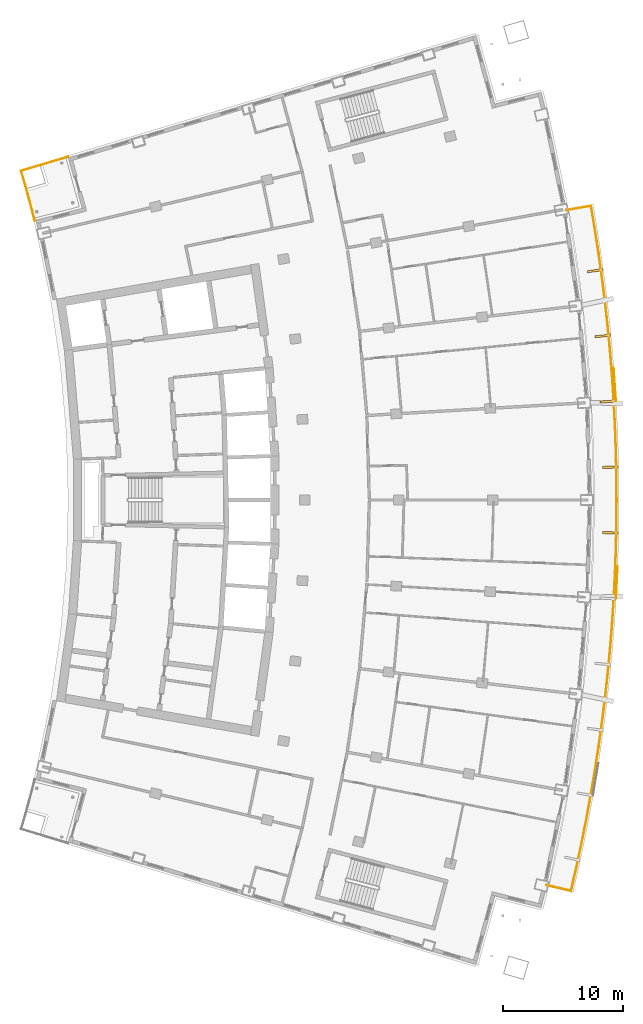
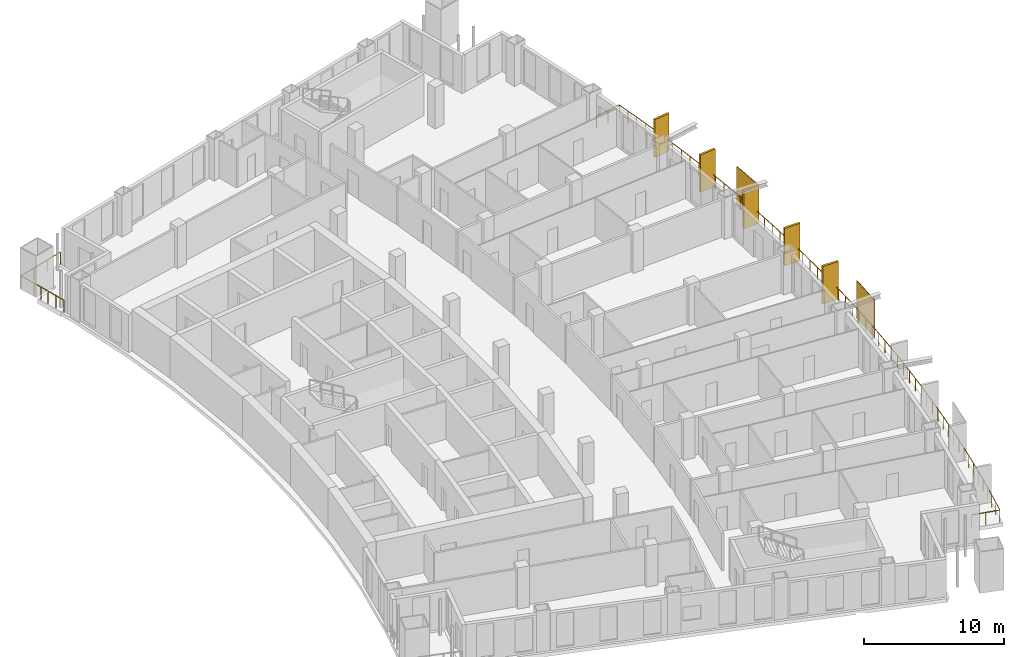
# One storey, part 19 of 20: 7 shading devices, 2 railings.
"""IFC4 building model written with IfcOpenShell, lengths in metres."""

import ifcopenshell
import ifcopenshell.guid

model = None  # the IFC model being written
_history = None  # IfcOwnerHistory: only IFC2X3 demands one
_inside = {}  # id of a spatial element -> (the spatial element, [elements in it])
_under = {}  # id of a project, library or spatial element -> (it, [spatial elements below it])
_declared = {}  # id of a project -> (the project, [libraries it declares])
_typed = {}  # id of a type object -> (the type object, [elements of that type])
_made_of = {}  # id of a material, layer set ... -> (it, [elements and type objects made of it])


def new_model(schema):
    """Start an empty IFC model of exactly this schema.

    Asked for "IFC4X3", IfcOpenShell would pick the latest addendum, in which some entities
    have other attributes; the version numbers below select the first issue.
    IFC2X3 requires an IfcOwnerHistory on every rooted entity: one is made here for all.
    """
    global model, _history
    if schema == "IFC4X3":
        model = ifcopenshell.file(schema_version=(4, 3, 0, 0))
    else:
        model = ifcopenshell.file(schema=schema)
    _inside.clear()
    _under.clear()
    _declared.clear()
    _typed.clear()
    _made_of.clear()
    _history = None
    if model.schema == "IFC2X3":
        org = make("IfcOrganization", Name="unknown")
        user = make(
            "IfcPersonAndOrganization",
            ThePerson=make("IfcPerson", FamilyName="unknown"),
            TheOrganization=org,
        )
        app = make(
            "IfcApplication",
            ApplicationDeveloper=org,
            Version="unknown",
            ApplicationFullName="unknown",
            ApplicationIdentifier="unknown",
        )
        _history = make(
            "IfcOwnerHistory",
            OwningUser=user,
            OwningApplication=app,
            ChangeAction="ADDED",
            CreationDate=0,
        )
    return model


def make(cls, **values):
    """One entity of the class cls with the attributes given. An attribute that is None is left unset."""
    return model.create_entity(
        cls, **{name: value for name, value in values.items() if value is not None}
    )


def rooted(cls, **values):
    """An entity with a GlobalId (a new one), such as an element, a storey or a relation."""
    return make(cls, GlobalId=ifcopenshell.guid.new(), OwnerHistory=_history, **values)


def si_unit(unit_type, name, prefix=None):
    """IfcSIUnit, for example si_unit("LENGTHUNIT", "METRE", prefix="MILLI")."""
    return make("IfcSIUnit", UnitType=unit_type, Prefix=prefix, Name=name)


def assignment(units):
    """IfcUnitAssignment: the units of a project."""
    return None if units is None else make("IfcUnitAssignment", Units=units)


def point(xyz):
    """IfcCartesianPoint."""
    return None if xyz is None else make("IfcCartesianPoint", Coordinates=xyz)


def direction(xyz):
    """IfcDirection."""
    return None if xyz is None else make("IfcDirection", DirectionRatios=xyz)


def frame(location, z_axis=None, x_axis=None):
    """IfcAxis2Placement3D, a coordinate frame: its origin and axes. An axis left out is left unset."""
    return make(
        "IfcAxis2Placement3D",
        Location=point(location),
        Axis=direction(z_axis),
        RefDirection=direction(x_axis),
    )


def frame_2d(location, x_axis=None):
    """IfcAxis2Placement2D, a coordinate frame in the plane: its origin and x axis."""
    return make(
        "IfcAxis2Placement2D", Location=point(location), RefDirection=direction(x_axis)
    )


def origin():
    """The frame at (0, 0, 0) with its axes left unset."""
    return frame((0.0, 0.0, 0.0))


def origin_2d():
    """The frame at (0, 0) in the plane with its x axis left unset."""
    return frame_2d((0.0, 0.0))


def place(relative_to, where):
    """IfcLocalPlacement: puts the frame where relative to a parent placement (None: the world)."""
    return make(
        "IfcLocalPlacement", PlacementRelTo=relative_to, RelativePlacement=where
    )


def context(
    kind, dimensions, precision=None, world=None, true_north=None, identifier=None
):
    """IfcGeometricRepresentationContext, for example the 3D "Model" context."""
    return make(
        "IfcGeometricRepresentationContext",
        ContextIdentifier=identifier,
        ContextType=kind,
        CoordinateSpaceDimension=dimensions,
        Precision=precision,
        WorldCoordinateSystem=world,
        TrueNorth=true_north,
    )


def subcontext(parent, identifier, kind, view, scale=None):
    """IfcGeometricRepresentationSubContext, for example "Body" below "Model"."""
    return make(
        "IfcGeometricRepresentationSubContext",
        ContextIdentifier=identifier,
        ContextType=kind,
        ParentContext=parent,
        TargetScale=scale,
        TargetView=view,
    )


def project(units=None, contexts=None):
    """IfcProject with its units and contexts."""
    return rooted(
        "IfcProject",
        Name="project",
        RepresentationContexts=contexts,
        UnitsInContext=assignment(units),
    )


def spatial(cls, under=None, at=None, **own):
    """A site, building, storey or space (cls), placed at a placement, below another one or the project."""
    s = rooted(cls, ObjectPlacement=at, **own)
    if under is not None:
        _under.setdefault(under.id(), (under, []))[1].append(s)
    return s


def profile(cls, at=None, kind="AREA", **sizes):
    """A parametric profile (cls). Its sizes go by their IFC names, for example OverallWidth=200.0."""
    return make(cls, ProfileType=kind, Position=at, **sizes)


def rectangle(**sizes):
    """IfcRectangleProfileDef."""
    return profile("IfcRectangleProfileDef", **sizes)


def extrude(swept, where, along, depth):
    """IfcExtrudedAreaSolid: the profile swept, set in the frame where, extruded along a direction by depth."""
    return make(
        "IfcExtrudedAreaSolid",
        SweptArea=swept,
        Position=where,
        ExtrudedDirection=direction(along),
        Depth=depth,
    )


def shape(context_of_items, identifier, shape_type, items):
    """IfcShapeRepresentation: the items that make up one representation, for example the "Body"."""
    return make(
        "IfcShapeRepresentation",
        ContextOfItems=context_of_items,
        RepresentationIdentifier=identifier,
        RepresentationType=shape_type,
        Items=items,
    )


def material(Name=None, Category=None):
    """IfcMaterial."""
    return make("IfcMaterial", Name=Name, Category=Category)


def layer(
    of_material, thickness, ventilated=None, Name=None, Category=None, Priority=None
):
    """IfcMaterialLayer: one layer of a wall or slab, of a material (None: an air gap)."""
    return make(
        "IfcMaterialLayer",
        Material=of_material,
        LayerThickness=thickness,
        IsVentilated=ventilated,
        Name=Name,
        Category=Category,
        Priority=Priority,
    )


def layer_set(layers, Name=None):
    """IfcMaterialLayerSet."""
    return make("IfcMaterialLayerSet", MaterialLayers=layers, LayerSetName=Name)


def made_of(thing, what):
    """Note that an element or type object is made of a material, layer set ...; save() writes the relation."""
    if what is not None:
        _made_of.setdefault(what.id(), (what, []))[1].append(thing)
    return thing


def type_object(cls, material=None, **own):
    """A type object (cls), such as IfcWallType, which elements share."""
    return made_of(rooted(cls, **own), material)


def element(
    cls,
    number,
    at=None,
    inside=None,
    cuts=None,
    type_object=None,
    material=None,
    context=None,
    identifier="Body",
    shape_type=None,
    held_by="IfcProductDefinitionShape",
    body=None,
    shapes=None,
    **own,
):
    """One element of the class cls, such as IfcWall. Its Tag is "e" and its number.

    at: its placement. inside: the storey or other place that contains it. cuts: it is an
    opening in that element (IfcRelVoidsElement). A single representation is given by context,
    identifier, shape_type and body (its items); several are given by shapes. held_by: the class
    of the entity that holds the representations. save() writes the other relations.
    """
    e = rooted(cls, Tag="e%d" % number, ObjectPlacement=at, **own)
    if body is not None:
        shapes = [shape(context, identifier, shape_type, body)]
    if shapes is not None:
        e.Representation = make(held_by, Representations=shapes)
    if inside is not None:
        _inside.setdefault(inside.id(), (inside, []))[1].append(e)
    if cuts is not None:
        rooted(
            "IfcRelVoidsElement", RelatingBuildingElement=cuts, RelatedOpeningElement=e
        )
    if type_object is not None:
        _typed.setdefault(type_object.id(), (type_object, []))[1].append(e)
    return made_of(e, material)


def aggregate(whole, parts):
    """IfcRelAggregates: a whole, such as a stair, and the parts it consists of."""
    return rooted("IfcRelAggregates", RelatingObject=whole, RelatedObjects=parts)


def save(model, path):
    """Write the relations noted so far, then the file.

    IfcRelAggregates (storeys below a building ...), IfcRelContainedInSpatialStructure (elements
    in a storey), IfcRelDefinesByType, IfcRelAssociatesMaterial and IfcRelDeclares: one each for
    every whole, place, type object, material and project.
    """
    for whole, parts in _under.values():
        aggregate(whole, parts)
    for where, things in _inside.values():
        rooted(
            "IfcRelContainedInSpatialStructure",
            RelatedElements=things,
            RelatingStructure=where,
        )
    for kind, things in _typed.values():
        rooted("IfcRelDefinesByType", RelatedObjects=things, RelatingType=kind)
    for what, things in _made_of.values():
        rooted("IfcRelAssociatesMaterial", RelatedObjects=things, RelatingMaterial=what)
    for by, libraries in _declared.values():
        rooted("IfcRelDeclares", RelatingContext=by, RelatedDefinitions=libraries)
    model.write(path)


model = new_model("IFC4")

# Units and contexts
model_context = context("Model", 3, precision=1e-05, world=origin(), true_north=direction((0.0, 1.0)))
body_context = subcontext(model_context, "Body", "Model", "MODEL_VIEW")
ifc_project = project(units=[si_unit("LENGTHUNIT", "METRE"), si_unit("AREAUNIT", "SQUARE_METRE"), si_unit("VOLUMEUNIT", "CUBIC_METRE"), si_unit("PLANEANGLEUNIT", "RADIAN"), si_unit("MASSUNIT", "GRAM", prefix="KILO")], contexts=[model_context])

# Site, building, storey
site_placement = place(None, origin())
site = spatial("IfcSite", under=ifc_project, at=site_placement, CompositionType="ELEMENT")
building_placement = place(site_placement, origin())
building = spatial("IfcBuilding", under=site, at=building_placement, Name="Alderwake Tower", CompositionType="ELEMENT")
storey_placement = place(building_placement, frame((0.0, 0.0, 164.0)))
storey = spatial("IfcBuildingStorey", under=building, at=storey_placement, Name="L40", CompositionType="ELEMENT", Elevation=164.0)

# Railings
ifc_material_1 = material(Name="Stainless steel 316 rail and posts", Category="steel")
railing_type = type_object("IfcRailingType", Name="Balcony guard 1100", PredefinedType="GUARDRAIL", material=ifc_material_1)
railing_1_placement = place(storey_placement, frame((56.0341796875, 28.77099609375, 0.0)))
element("IfcRailing", 1, at=railing_1_placement, inside=storey, type_object=railing_type, Name="Guard BF03", PredefinedType="GUARDRAIL", context=body_context, shape_type="SweptSolid", body=[
    extrude(rectangle(XDim=0.048095703125, YDim=0.048095703125, at=origin_2d()), frame((0.0, 0.0, 1.076171875), z_axis=(0.973063818564, -0.230535908269, 0.0), x_axis=(0.230535908269, 0.973063818564, 0.0)), (0.0, 0.0, 1.0), 2.10009765625),
    extrude(rectangle(XDim=0.048095703125, YDim=0.048095703125, at=origin_2d()), frame((2.04345703125, -0.484130859375, 1.076171875), z_axis=(0.22376384177, 0.974643392794, 0.0), x_axis=(-0.974643392794, 0.22376384177, 0.0)), (0.0, 0.0, 1.0), 1.969482421875),
    extrude(rectangle(XDim=0.048095703125, YDim=0.048095703125, at=origin_2d()), frame((2.484130859375, 1.435302734375, 1.076171875), z_axis=(0.210004437126, 0.977700432846, 0.0), x_axis=(-0.977700432846, 0.210004437126, 0.0)), (0.0, 0.0, 1.0), 2.0693359375),
    extrude(rectangle(XDim=0.048095703125, YDim=0.048095703125, at=origin_2d()), frame((2.918701171875, 3.45849609375, 1.076171875), z_axis=(0.195594316836, 0.98068489497, 0.0), x_axis=(-0.98068489497, 0.195594316836, 0.0)), (0.0, 0.0, 1.0), 2.069580078125),
    extrude(rectangle(XDim=0.048095703125, YDim=0.048095703125, at=origin_2d()), frame((3.323486328125, 5.488037109375, 1.076171875), z_axis=(0.181210472895, 0.983444337272, 0.0), x_axis=(-0.983444337272, 0.181210472895, 0.0)), (0.0, 0.0, 1.0), 2.0693359375),
    extrude(rectangle(XDim=0.048095703125, YDim=0.048095703125, at=origin_2d()), frame((3.698486328125, 7.523193359375, 1.076171875), z_axis=(0.166943001759, 0.985966548197, 0.0), x_axis=(-0.985966548197, 0.166943001759, 0.0)), (0.0, 0.0, 1.0), 2.0693359375),
    extrude(rectangle(XDim=0.048095703125, YDim=0.048095703125, at=origin_2d()), frame((4.0439453125, 9.5634765625, 1.076171875), z_axis=(0.152562548406, 0.988293817052, 0.0), x_axis=(-0.988293817052, 0.152562548406, 0.0)), (0.0, 0.0, 1.0), 2.069091796875),
    extrude(rectangle(XDim=0.048095703125, YDim=0.048095703125, at=origin_2d()), frame((4.359619140625, 11.6083984375, 1.076171875), z_axis=(0.138018425893, 0.990429661366, 0.0), x_axis=(-0.990429661366, 0.138018425893, 0.0)), (0.0, 0.0, 1.0), 2.069580078125),
    extrude(rectangle(XDim=0.048095703125, YDim=0.048095703125, at=origin_2d()), frame((4.645263671875, 13.658203125, 1.076171875), z_axis=(0.123657146536, 0.99232500226, 0.0), x_axis=(-0.99232500226, 0.123657146536, 0.0)), (0.0, 0.0, 1.0), 2.069091796875),
    extrude(rectangle(XDim=0.048095703125, YDim=0.048095703125, at=origin_2d()), frame((4.901123046875, 15.71142578125, 1.076171875), z_axis=(0.109240237301, 0.994015377424, 0.0), x_axis=(-0.994015377424, 0.109240237301, 0.0)), (0.0, 0.0, 1.0), 2.069580078125),
    extrude(rectangle(XDim=0.048095703125, YDim=0.048095703125, at=origin_2d()), frame((5.127197265625, 17.7685546875, 1.076171875), z_axis=(0.094619793001, 0.995513482969, 0.0), x_axis=(-0.995513482969, 0.094619793001, 0.0)), (0.0, 0.0, 1.0), 2.0693359375),
    extrude(rectangle(XDim=0.048095703125, YDim=0.048095703125, at=origin_2d()), frame((5.322998046875, 19.82861328125, 1.076171875), z_axis=(0.080106274951, 0.996786328515, 0.0), x_axis=(-0.996786328515, 0.080106274951, 0.0)), (0.0, 0.0, 1.0), 2.0693359375),
    extrude(rectangle(XDim=0.048095703125, YDim=0.048095703125, at=origin_2d()), frame((5.48876953125, 21.891357421875, 1.076171875), z_axis=(0.065595005749, 0.99784632846, 0.0), x_axis=(-0.99784632846, 0.065595005749, 0.0)), (0.0, 0.0, 1.0), 2.0693359375),
    extrude(rectangle(XDim=0.048095703125, YDim=0.048095703125, at=origin_2d()), frame((5.62451171875, 23.956298828125, 1.076171875), z_axis=(0.050967340633, 0.998700320511, 0.0), x_axis=(-0.998700320511, 0.050967340633, 0.0)), (0.0, 0.0, 1.0), 2.0693359375),
    extrude(rectangle(XDim=0.048095703125, YDim=0.048095703125, at=origin_2d()), frame((5.72998046875, 26.02294921875, 1.076171875), z_axis=(0.036457447313, 0.999335206292, 0.0), x_axis=(-0.999335206292, 0.036457447313, 0.0)), (0.0, 0.0, 1.0), 2.0693359375),
    extrude(rectangle(XDim=0.048095703125, YDim=0.048095703125, at=origin_2d()), frame((5.805419921875, 28.0908203125, 1.076171875), z_axis=(0.02194420706, 0.999759196895, 0.0), x_axis=(-0.999759196895, 0.02194420706, 0.0)), (0.0, 0.0, 1.0), 2.0693359375),
    extrude(rectangle(XDim=0.048095703125, YDim=0.048095703125, at=origin_2d()), frame((5.850830078125, 30.15966796875, 1.076171875), z_axis=(0.007196604572, 0.999974104106, 0.0), x_axis=(-0.999974104106, 0.007196604572, 0.0)), (0.0, 0.0, 1.0), 2.0693359375),
    extrude(rectangle(XDim=0.048095703125, YDim=0.048095703125, at=origin_2d()), frame((5.86572265625, 32.22900390625, 1.076171875), z_axis=(-0.007196604572, 0.999974104106, 0.0), x_axis=(-0.999974104106, -0.007196604572, 0.0)), (0.0, 0.0, 1.0), 2.0693359375),
    extrude(rectangle(XDim=0.048095703125, YDim=0.048095703125, at=origin_2d()), frame((5.850830078125, 34.29833984375, 1.076171875), z_axis=(-0.02194420706, 0.999759196895, 0.0), x_axis=(-0.999759196895, -0.02194420706, 0.0)), (0.0, 0.0, 1.0), 2.0693359375),
    extrude(rectangle(XDim=0.048095703125, YDim=0.048095703125, at=origin_2d()), frame((5.805419921875, 36.3671875, 1.076171875), z_axis=(-0.036457447313, 0.999335206292, 0.0), x_axis=(-0.999335206292, -0.036457447313, 0.0)), (0.0, 0.0, 1.0), 2.0693359375),
    extrude(rectangle(XDim=0.048095703125, YDim=0.048095703125, at=origin_2d()), frame((5.72998046875, 38.43505859375, 1.076171875), z_axis=(-0.050967340633, 0.998700320511, 0.0), x_axis=(-0.998700320511, -0.050967340633, 0.0)), (0.0, 0.0, 1.0), 2.0693359375),
    extrude(rectangle(XDim=0.048095703125, YDim=0.048095703125, at=origin_2d()), frame((5.62451171875, 40.501708984375, 1.076171875), z_axis=(-0.065595005749, 0.99784632846, 0.0), x_axis=(-0.99784632846, -0.065595005749, 0.0)), (0.0, 0.0, 1.0), 2.0693359375),
    extrude(rectangle(XDim=0.048095703125, YDim=0.048095703125, at=origin_2d()), frame((5.48876953125, 42.566650390625, 1.076171875), z_axis=(-0.080106274951, 0.996786328515, 0.0), x_axis=(-0.996786328515, -0.080106274951, 0.0)), (0.0, 0.0, 1.0), 2.0693359375),
    extrude(rectangle(XDim=0.048095703125, YDim=0.048095703125, at=origin_2d()), frame((5.322998046875, 44.62939453125, 1.076171875), z_axis=(-0.094619793001, 0.995513482969, 0.0), x_axis=(-0.995513482969, -0.094619793001, 0.0)), (0.0, 0.0, 1.0), 2.0693359375),
    extrude(rectangle(XDim=0.048095703125, YDim=0.048095703125, at=origin_2d()), frame((5.127197265625, 46.689453125, 1.076171875), z_axis=(-0.109240237301, 0.994015377424, 0.0), x_axis=(-0.994015377424, -0.109240237301, 0.0)), (0.0, 0.0, 1.0), 2.069580078125),
    extrude(rectangle(XDim=0.048095703125, YDim=0.048095703125, at=origin_2d()), frame((4.901123046875, 48.74658203125, 1.076171875), z_axis=(-0.123657146536, 0.99232500226, 0.0), x_axis=(-0.99232500226, -0.123657146536, 0.0)), (0.0, 0.0, 1.0), 2.069091796875),
    extrude(rectangle(XDim=0.048095703125, YDim=0.048095703125, at=origin_2d()), frame((4.645263671875, 50.7998046875, 1.076171875), z_axis=(-0.138018425893, 0.990429661366, 0.0), x_axis=(-0.990429661366, -0.138018425893, 0.0)), (0.0, 0.0, 1.0), 2.069580078125),
    extrude(rectangle(XDim=0.048095703125, YDim=0.048095703125, at=origin_2d()), frame((4.359619140625, 52.849609375, 1.076171875), z_axis=(-0.152562548406, 0.988293817052, 0.0), x_axis=(-0.988293817052, -0.152562548406, 0.0)), (0.0, 0.0, 1.0), 2.069091796875),
    extrude(rectangle(XDim=0.048095703125, YDim=0.048095703125, at=origin_2d()), frame((4.0439453125, 54.89453125, 1.076171875), z_axis=(-0.166609853632, 0.986022898655, 0.0), x_axis=(-0.986022898655, -0.166609853632, 0.0)), (0.0, 0.0, 1.0), 1.969482421875),
    extrude(rectangle(XDim=0.048095703125, YDim=0.048095703125, at=origin_2d()), frame((3.7158203125, 56.83642578125, 1.076171875), z_axis=(-0.984860709852, -0.173347576247, 0.0), x_axis=(0.173347576247, -0.984860709852, 0.0)), (0.0, 0.0, 1.0), 2.099853515625),
    extrude(rectangle(XDim=0.0419921875, YDim=0.0419921875, at=origin_2d()), frame((0.0, 0.0, 0.0), z_axis=(0.0, 0.0, 1.0), x_axis=(0.973063818564, -0.230535908269, 0.0)), (0.0, 0.0, 1.0), 1.052001953125),
    extrude(rectangle(XDim=0.0419921875, YDim=0.0419921875, at=origin_2d()), frame((1.021728515625, -0.2421875, 0.0), z_axis=(0.0, 0.0, 1.0), x_axis=(0.973063818564, -0.230535908269, 0.0)), (0.0, 0.0, 1.0), 1.052001953125),
    extrude(rectangle(XDim=0.0419921875, YDim=0.0419921875, at=origin_2d()), frame((2.04345703125, -0.484130859375, 0.0), z_axis=(0.0, 0.0, 1.0), x_axis=(0.22376384177, 0.974643392794, 0.0)), (0.0, 0.0, 1.0), 1.052001953125),
    extrude(rectangle(XDim=0.0419921875, YDim=0.0419921875, at=origin_2d()), frame((2.263671875, 0.4755859375, 0.0), z_axis=(0.0, 0.0, 1.0), x_axis=(0.22376384177, 0.974643392794, 0.0)), (0.0, 0.0, 1.0), 1.052001953125),
    extrude(rectangle(XDim=0.0419921875, YDim=0.0419921875, at=origin_2d()), frame((2.484130859375, 1.435302734375, 0.0), z_axis=(0.0, 0.0, 1.0), x_axis=(0.210004437126, 0.977700432846, 0.0)), (0.0, 0.0, 1.0), 1.052001953125),
    extrude(rectangle(XDim=0.0419921875, YDim=0.0419921875, at=origin_2d()), frame((2.701416015625, 2.44677734375, 0.0), z_axis=(0.0, 0.0, 1.0), x_axis=(0.210004437126, 0.977700432846, 0.0)), (0.0, 0.0, 1.0), 1.052001953125),
    extrude(rectangle(XDim=0.0419921875, YDim=0.0419921875, at=origin_2d()), frame((2.918701171875, 3.45849609375, 0.0), z_axis=(0.0, 0.0, 1.0), x_axis=(0.195594316836, 0.98068489497, 0.0)), (0.0, 0.0, 1.0), 1.052001953125),
    extrude(rectangle(XDim=0.0419921875, YDim=0.0419921875, at=origin_2d()), frame((3.12109375, 4.47314453125, 0.0), z_axis=(0.0, 0.0, 1.0), x_axis=(0.195594316836, 0.98068489497, 0.0)), (0.0, 0.0, 1.0), 1.052001953125),
    extrude(rectangle(XDim=0.0419921875, YDim=0.0419921875, at=origin_2d()), frame((3.323486328125, 5.488037109375, 0.0), z_axis=(0.0, 0.0, 1.0), x_axis=(0.181210472895, 0.983444337272, 0.0)), (0.0, 0.0, 1.0), 1.052001953125),
    extrude(rectangle(XDim=0.0419921875, YDim=0.0419921875, at=origin_2d()), frame((3.510986328125, 6.505615234375, 0.0), z_axis=(0.0, 0.0, 1.0), x_axis=(0.181210472895, 0.983444337272, 0.0)), (0.0, 0.0, 1.0), 1.052001953125),
    extrude(rectangle(XDim=0.0419921875, YDim=0.0419921875, at=origin_2d()), frame((3.698486328125, 7.523193359375, 0.0), z_axis=(0.0, 0.0, 1.0), x_axis=(0.166943001759, 0.985966548197, 0.0)), (0.0, 0.0, 1.0), 1.052001953125),
    extrude(rectangle(XDim=0.0419921875, YDim=0.0419921875, at=origin_2d()), frame((3.87109375, 8.54345703125, 0.0), z_axis=(0.0, 0.0, 1.0), x_axis=(0.166943001759, 0.985966548197, 0.0)), (0.0, 0.0, 1.0), 1.052001953125),
    extrude(rectangle(XDim=0.0419921875, YDim=0.0419921875, at=origin_2d()), frame((4.0439453125, 9.5634765625, 0.0), z_axis=(0.0, 0.0, 1.0), x_axis=(0.152562548406, 0.988293817052, 0.0)), (0.0, 0.0, 1.0), 1.052001953125),
    extrude(rectangle(XDim=0.0419921875, YDim=0.0419921875, at=origin_2d()), frame((4.20166015625, 10.5859375, 0.0), z_axis=(0.0, 0.0, 1.0), x_axis=(0.152562548406, 0.988293817052, 0.0)), (0.0, 0.0, 1.0), 1.052001953125),
    extrude(rectangle(XDim=0.0419921875, YDim=0.0419921875, at=origin_2d()), frame((4.359619140625, 11.6083984375, 0.0), z_axis=(0.0, 0.0, 1.0), x_axis=(0.138018425893, 0.990429661366, 0.0)), (0.0, 0.0, 1.0), 1.052001953125),
    extrude(rectangle(XDim=0.0419921875, YDim=0.0419921875, at=origin_2d()), frame((4.50244140625, 12.63330078125, 0.0), z_axis=(0.0, 0.0, 1.0), x_axis=(0.138018425893, 0.990429661366, 0.0)), (0.0, 0.0, 1.0), 1.052001953125),
    extrude(rectangle(XDim=0.0419921875, YDim=0.0419921875, at=origin_2d()), frame((4.645263671875, 13.658203125, 0.0), z_axis=(0.0, 0.0, 1.0), x_axis=(0.123657146536, 0.99232500226, 0.0)), (0.0, 0.0, 1.0), 1.052001953125),
    extrude(rectangle(XDim=0.0419921875, YDim=0.0419921875, at=origin_2d()), frame((4.773193359375, 14.684814453125, 0.0), z_axis=(0.0, 0.0, 1.0), x_axis=(0.123657146536, 0.99232500226, 0.0)), (0.0, 0.0, 1.0), 1.052001953125),
    extrude(rectangle(XDim=0.0419921875, YDim=0.0419921875, at=origin_2d()), frame((4.901123046875, 15.71142578125, 0.0), z_axis=(0.0, 0.0, 1.0), x_axis=(0.109240237301, 0.994015377424, 0.0)), (0.0, 0.0, 1.0), 1.052001953125),
    extrude(rectangle(XDim=0.0419921875, YDim=0.0419921875, at=origin_2d()), frame((5.01416015625, 16.739990234375, 0.0), z_axis=(0.0, 0.0, 1.0), x_axis=(0.109240237301, 0.994015377424, 0.0)), (0.0, 0.0, 1.0), 1.052001953125),
    extrude(rectangle(XDim=0.0419921875, YDim=0.0419921875, at=origin_2d()), frame((5.127197265625, 17.7685546875, 0.0), z_axis=(0.0, 0.0, 1.0), x_axis=(0.094619793001, 0.995513482969, 0.0)), (0.0, 0.0, 1.0), 1.052001953125),
    extrude(rectangle(XDim=0.0419921875, YDim=0.0419921875, at=origin_2d()), frame((5.22509765625, 18.798583984375, 0.0), z_axis=(0.0, 0.0, 1.0), x_axis=(0.094619793001, 0.995513482969, 0.0)), (0.0, 0.0, 1.0), 1.052001953125),
    extrude(rectangle(XDim=0.0419921875, YDim=0.0419921875, at=origin_2d()), frame((5.322998046875, 19.82861328125, 0.0), z_axis=(0.0, 0.0, 1.0), x_axis=(0.080106274951, 0.996786328515, 0.0)), (0.0, 0.0, 1.0), 1.052001953125),
    extrude(rectangle(XDim=0.0419921875, YDim=0.0419921875, at=origin_2d()), frame((5.40576171875, 20.85986328125, 0.0), z_axis=(0.0, 0.0, 1.0), x_axis=(0.080106274951, 0.996786328515, 0.0)), (0.0, 0.0, 1.0), 1.052001953125),
    extrude(rectangle(XDim=0.0419921875, YDim=0.0419921875, at=origin_2d()), frame((5.48876953125, 21.891357421875, 0.0), z_axis=(0.0, 0.0, 1.0), x_axis=(0.065595005749, 0.99784632846, 0.0)), (0.0, 0.0, 1.0), 1.052001953125),
    extrude(rectangle(XDim=0.0419921875, YDim=0.0419921875, at=origin_2d()), frame((5.556640625, 22.923828125, 0.0), z_axis=(0.0, 0.0, 1.0), x_axis=(0.065595005749, 0.99784632846, 0.0)), (0.0, 0.0, 1.0), 1.052001953125),
    extrude(rectangle(XDim=0.0419921875, YDim=0.0419921875, at=origin_2d()), frame((5.62451171875, 23.956298828125, 0.0), z_axis=(0.0, 0.0, 1.0), x_axis=(0.050967340633, 0.998700320511, 0.0)), (0.0, 0.0, 1.0), 1.052001953125),
    extrude(rectangle(XDim=0.0419921875, YDim=0.0419921875, at=origin_2d()), frame((5.67724609375, 24.98974609375, 0.0), z_axis=(0.0, 0.0, 1.0), x_axis=(0.050967340633, 0.998700320511, 0.0)), (0.0, 0.0, 1.0), 1.052001953125),
    extrude(rectangle(XDim=0.0419921875, YDim=0.0419921875, at=origin_2d()), frame((5.72998046875, 26.02294921875, 0.0), z_axis=(0.0, 0.0, 1.0), x_axis=(0.036457447313, 0.999335206292, 0.0)), (0.0, 0.0, 1.0), 1.052001953125),
    extrude(rectangle(XDim=0.0419921875, YDim=0.0419921875, at=origin_2d()), frame((5.767578125, 27.056884765625, 0.0), z_axis=(0.0, 0.0, 1.0), x_axis=(0.036457447313, 0.999335206292, 0.0)), (0.0, 0.0, 1.0), 1.052001953125),
    extrude(rectangle(XDim=0.0419921875, YDim=0.0419921875, at=origin_2d()), frame((5.805419921875, 28.0908203125, 0.0), z_axis=(0.0, 0.0, 1.0), x_axis=(0.02194420706, 0.999759196895, 0.0)), (0.0, 0.0, 1.0), 1.052001953125),
    extrude(rectangle(XDim=0.0419921875, YDim=0.0419921875, at=origin_2d()), frame((5.828125, 29.125244140625, 0.0), z_axis=(0.0, 0.0, 1.0), x_axis=(0.02194420706, 0.999759196895, 0.0)), (0.0, 0.0, 1.0), 1.052001953125),
    extrude(rectangle(XDim=0.0419921875, YDim=0.0419921875, at=origin_2d()), frame((5.850830078125, 30.15966796875, 0.0), z_axis=(0.0, 0.0, 1.0), x_axis=(0.007196604572, 0.999974104106, 0.0)), (0.0, 0.0, 1.0), 1.052001953125),
    extrude(rectangle(XDim=0.0419921875, YDim=0.0419921875, at=origin_2d()), frame((5.8583984375, 31.1943359375, 0.0), z_axis=(0.0, 0.0, 1.0), x_axis=(0.007196604572, 0.999974104106, 0.0)), (0.0, 0.0, 1.0), 1.052001953125),
    extrude(rectangle(XDim=0.0419921875, YDim=0.0419921875, at=origin_2d()), frame((5.86572265625, 32.22900390625, 0.0), z_axis=(0.0, 0.0, 1.0), x_axis=(-0.007196604572, 0.999974104106, 0.0)), (0.0, 0.0, 1.0), 1.052001953125),
    extrude(rectangle(XDim=0.0419921875, YDim=0.0419921875, at=origin_2d()), frame((5.8583984375, 33.263671875, 0.0), z_axis=(0.0, 0.0, 1.0), x_axis=(-0.007196604572, 0.999974104106, 0.0)), (0.0, 0.0, 1.0), 1.052001953125),
    extrude(rectangle(XDim=0.0419921875, YDim=0.0419921875, at=origin_2d()), frame((5.850830078125, 34.29833984375, 0.0), z_axis=(0.0, 0.0, 1.0), x_axis=(-0.02194420706, 0.999759196895, 0.0)), (0.0, 0.0, 1.0), 1.052001953125),
    extrude(rectangle(XDim=0.0419921875, YDim=0.0419921875, at=origin_2d()), frame((5.828125, 35.332763671875, 0.0), z_axis=(0.0, 0.0, 1.0), x_axis=(-0.02194420706, 0.999759196895, 0.0)), (0.0, 0.0, 1.0), 1.052001953125),
    extrude(rectangle(XDim=0.0419921875, YDim=0.0419921875, at=origin_2d()), frame((5.805419921875, 36.3671875, 0.0), z_axis=(0.0, 0.0, 1.0), x_axis=(-0.036457447313, 0.999335206292, 0.0)), (0.0, 0.0, 1.0), 1.052001953125),
    extrude(rectangle(XDim=0.0419921875, YDim=0.0419921875, at=origin_2d()), frame((5.767578125, 37.401123046875, 0.0), z_axis=(0.0, 0.0, 1.0), x_axis=(-0.036457447313, 0.999335206292, 0.0)), (0.0, 0.0, 1.0), 1.052001953125),
    extrude(rectangle(XDim=0.0419921875, YDim=0.0419921875, at=origin_2d()), frame((5.72998046875, 38.43505859375, 0.0), z_axis=(0.0, 0.0, 1.0), x_axis=(-0.050967340633, 0.998700320511, 0.0)), (0.0, 0.0, 1.0), 1.052001953125),
    extrude(rectangle(XDim=0.0419921875, YDim=0.0419921875, at=origin_2d()), frame((5.67724609375, 39.46826171875, 0.0), z_axis=(0.0, 0.0, 1.0), x_axis=(-0.050967340633, 0.998700320511, 0.0)), (0.0, 0.0, 1.0), 1.052001953125),
    extrude(rectangle(XDim=0.0419921875, YDim=0.0419921875, at=origin_2d()), frame((5.62451171875, 40.501708984375, 0.0), z_axis=(0.0, 0.0, 1.0), x_axis=(-0.065595005749, 0.99784632846, 0.0)), (0.0, 0.0, 1.0), 1.052001953125),
    extrude(rectangle(XDim=0.0419921875, YDim=0.0419921875, at=origin_2d()), frame((5.556640625, 41.5341796875, 0.0), z_axis=(0.0, 0.0, 1.0), x_axis=(-0.065595005749, 0.99784632846, 0.0)), (0.0, 0.0, 1.0), 1.052001953125),
    extrude(rectangle(XDim=0.0419921875, YDim=0.0419921875, at=origin_2d()), frame((5.48876953125, 42.566650390625, 0.0), z_axis=(0.0, 0.0, 1.0), x_axis=(-0.080106274951, 0.996786328515, 0.0)), (0.0, 0.0, 1.0), 1.052001953125),
    extrude(rectangle(XDim=0.0419921875, YDim=0.0419921875, at=origin_2d()), frame((5.40576171875, 43.59814453125, 0.0), z_axis=(0.0, 0.0, 1.0), x_axis=(-0.080106274951, 0.996786328515, 0.0)), (0.0, 0.0, 1.0), 1.052001953125),
    extrude(rectangle(XDim=0.0419921875, YDim=0.0419921875, at=origin_2d()), frame((5.322998046875, 44.62939453125, 0.0), z_axis=(0.0, 0.0, 1.0), x_axis=(-0.094619793001, 0.995513482969, 0.0)), (0.0, 0.0, 1.0), 1.052001953125),
    extrude(rectangle(XDim=0.0419921875, YDim=0.0419921875, at=origin_2d()), frame((5.22509765625, 45.659423828125, 0.0), z_axis=(0.0, 0.0, 1.0), x_axis=(-0.094619793001, 0.995513482969, 0.0)), (0.0, 0.0, 1.0), 1.052001953125),
    extrude(rectangle(XDim=0.0419921875, YDim=0.0419921875, at=origin_2d()), frame((5.127197265625, 46.689453125, 0.0), z_axis=(0.0, 0.0, 1.0), x_axis=(-0.109240237301, 0.994015377424, 0.0)), (0.0, 0.0, 1.0), 1.052001953125),
    extrude(rectangle(XDim=0.0419921875, YDim=0.0419921875, at=origin_2d()), frame((5.01416015625, 47.718017578125, 0.0), z_axis=(0.0, 0.0, 1.0), x_axis=(-0.109240237301, 0.994015377424, 0.0)), (0.0, 0.0, 1.0), 1.052001953125),
    extrude(rectangle(XDim=0.0419921875, YDim=0.0419921875, at=origin_2d()), frame((4.901123046875, 48.74658203125, 0.0), z_axis=(0.0, 0.0, 1.0), x_axis=(-0.123657146536, 0.99232500226, 0.0)), (0.0, 0.0, 1.0), 1.052001953125),
    extrude(rectangle(XDim=0.0419921875, YDim=0.0419921875, at=origin_2d()), frame((4.773193359375, 49.773193359375, 0.0), z_axis=(0.0, 0.0, 1.0), x_axis=(-0.123657146536, 0.99232500226, 0.0)), (0.0, 0.0, 1.0), 1.052001953125),
    extrude(rectangle(XDim=0.0419921875, YDim=0.0419921875, at=origin_2d()), frame((4.645263671875, 50.7998046875, 0.0), z_axis=(0.0, 0.0, 1.0), x_axis=(-0.138018425893, 0.990429661366, 0.0)), (0.0, 0.0, 1.0), 1.052001953125),
    extrude(rectangle(XDim=0.0419921875, YDim=0.0419921875, at=origin_2d()), frame((4.50244140625, 51.82470703125, 0.0), z_axis=(0.0, 0.0, 1.0), x_axis=(-0.138018425893, 0.990429661366, 0.0)), (0.0, 0.0, 1.0), 1.052001953125),
    extrude(rectangle(XDim=0.0419921875, YDim=0.0419921875, at=origin_2d()), frame((4.359619140625, 52.849609375, 0.0), z_axis=(0.0, 0.0, 1.0), x_axis=(-0.152562548406, 0.988293817052, 0.0)), (0.0, 0.0, 1.0), 1.052001953125),
    extrude(rectangle(XDim=0.0419921875, YDim=0.0419921875, at=origin_2d()), frame((4.20166015625, 53.8720703125, 0.0), z_axis=(0.0, 0.0, 1.0), x_axis=(-0.152562548406, 0.988293817052, 0.0)), (0.0, 0.0, 1.0), 1.052001953125),
    extrude(rectangle(XDim=0.0419921875, YDim=0.0419921875, at=origin_2d()), frame((4.0439453125, 54.89453125, 0.0), z_axis=(0.0, 0.0, 1.0), x_axis=(-0.166609853632, 0.986022898655, 0.0)), (0.0, 0.0, 1.0), 1.052001953125),
    extrude(rectangle(XDim=0.0419921875, YDim=0.0419921875, at=origin_2d()), frame((3.8798828125, 55.865478515625, 0.0), z_axis=(0.0, 0.0, 1.0), x_axis=(-0.166609853632, 0.986022898655, 0.0)), (0.0, 0.0, 1.0), 1.052001953125),
    extrude(rectangle(XDim=0.0419921875, YDim=0.0419921875, at=origin_2d()), frame((3.7158203125, 56.83642578125, 0.0), z_axis=(0.0, 0.0, 1.0), x_axis=(-0.984860709852, -0.173347576247, 0.0)), (0.0, 0.0, 1.0), 1.052001953125),
    extrude(rectangle(XDim=0.0419921875, YDim=0.0419921875, at=origin_2d()), frame((2.681640625, 56.654296875, 0.0), z_axis=(0.0, 0.0, 1.0), x_axis=(-0.984860709852, -0.173347576247, 0.0)), (0.0, 0.0, 1.0), 1.052001953125),
    extrude(rectangle(XDim=0.0419921875, YDim=0.0419921875, at=origin_2d()), frame((1.647705078125, 56.472412109375, 0.0), z_axis=(0.0, 0.0, 1.0), x_axis=(-0.984860709852, -0.173347576247, 0.0)), (0.0, 0.0, 1.0), 1.052001953125),
])
railing_2_placement = place(storey_placement, frame((13.210693359375, 84.387451171875, 0.0)))
element("IfcRailing", 2, at=railing_2_placement, inside=storey, type_object=railing_type, Name="Guard terrace RN", PredefinedType="GUARDRAIL", context=body_context, shape_type="SweptSolid", body=[
    extrude(rectangle(XDim=0.048095703125, YDim=0.048095703125, at=origin_2d()), frame((0.0, 0.0, 1.076171875), z_axis=(-0.251385381433, 0.967887075026, 0.0), x_axis=(-0.967887075026, -0.251385381433, 0.0)), (0.0, 0.0, 1.0), 1.6015625),
    extrude(rectangle(XDim=0.048095703125, YDim=0.048095703125, at=origin_2d()), frame((-0.402587890625, 1.550048828125, 1.076171875), z_axis=(-0.266520638672, 0.963829211615, 0.0), x_axis=(-0.963829211615, -0.266520638672, 0.0)), (0.0, 0.0, 1.0), 1.401611328125),
    extrude(rectangle(XDim=0.048095703125, YDim=0.048095703125, at=origin_2d()), frame((-0.776123046875, 2.90087890625, 1.076171875), z_axis=(-0.280093650878, 0.959972680204, 0.0), x_axis=(-0.959972680204, -0.280093650878, 0.0)), (0.0, 0.0, 1.0), 1.30126953125),
    extrude(rectangle(XDim=0.048095703125, YDim=0.048095703125, at=origin_2d()), frame((-1.140625, 4.150146484375, 1.076171875), z_axis=(0.958066871889, 0.286544706789, 0.0), x_axis=(-0.286544706789, 0.958066871889, 0.0)), (0.0, 0.0, 1.0), 4.099853515625),
    extrude(rectangle(XDim=0.0419921875, YDim=0.0419921875, at=origin_2d()), frame((0.0, 0.0, 0.0), z_axis=(0.0, 0.0, 1.0), x_axis=(-0.251385381433, 0.967887075026, 0.0)), (0.0, 0.0, 1.0), 1.052001953125),
    extrude(rectangle(XDim=0.0419921875, YDim=0.0419921875, at=origin_2d()), frame((-0.201171875, 0.77490234375, 0.0), z_axis=(0.0, 0.0, 1.0), x_axis=(-0.251385381433, 0.967887075026, 0.0)), (0.0, 0.0, 1.0), 1.052001953125),
    extrude(rectangle(XDim=0.0419921875, YDim=0.0419921875, at=origin_2d()), frame((-0.402587890625, 1.550048828125, 0.0), z_axis=(0.0, 0.0, 1.0), x_axis=(-0.266520638672, 0.963829211615, 0.0)), (0.0, 0.0, 1.0), 1.052001953125),
    extrude(rectangle(XDim=0.0419921875, YDim=0.0419921875, at=origin_2d()), frame((-0.58935546875, 2.2255859375, 0.0), z_axis=(0.0, 0.0, 1.0), x_axis=(-0.266520638672, 0.963829211615, 0.0)), (0.0, 0.0, 1.0), 1.052001953125),
    extrude(rectangle(XDim=0.0419921875, YDim=0.0419921875, at=origin_2d()), frame((-0.776123046875, 2.90087890625, 0.0), z_axis=(0.0, 0.0, 1.0), x_axis=(-0.280093650878, 0.959972680204, 0.0)), (0.0, 0.0, 1.0), 1.052001953125),
    extrude(rectangle(XDim=0.0419921875, YDim=0.0419921875, at=origin_2d()), frame((-1.140625, 4.150146484375, 0.0), z_axis=(0.0, 0.0, 1.0), x_axis=(0.958066871889, 0.286544706789, 0.0)), (0.0, 0.0, 1.0), 1.052001953125),
    extrude(rectangle(XDim=0.0419921875, YDim=0.0419921875, at=origin_2d()), frame((0.168701171875, 4.541748046875, 0.0), z_axis=(0.0, 0.0, 1.0), x_axis=(0.958066871889, 0.286544706789, 0.0)), (0.0, 0.0, 1.0), 1.052001953125),
    extrude(rectangle(XDim=0.0419921875, YDim=0.0419921875, at=origin_2d()), frame((1.47802734375, 4.933349609375, 0.0), z_axis=(0.0, 0.0, 1.0), x_axis=(0.958066871889, 0.286544706789, 0.0)), (0.0, 0.0, 1.0), 1.052001953125),
    extrude(rectangle(XDim=0.0419921875, YDim=0.0419921875, at=origin_2d()), frame((2.787353515625, 5.324951171875, 0.0), z_axis=(0.0, 0.0, 1.0), x_axis=(0.958066871889, 0.286544706789, 0.0)), (0.0, 0.0, 1.0), 1.052001953125),
])

# Shading devices
ifc_material_2 = material(Name="Bronze anodised aluminium", Category="aluminium")
ifc_layer_1 = layer(ifc_material_2, 0.179931640625)
ifc_layer_set_1 = layer_set([ifc_layer_1], Name="Facade fin 1300")
shading_device_type_1 = type_object("IfcShadingDeviceType", Name="Facade fin 1300", PredefinedType="USERDEFINED", material=ifc_layer_set_1)
for number, where, z_axis, x_axis, name in (
    (3, (61.373291015625, 58.257080078125, 0.0), (0.0, 0.0, 1.0), (0.999811838809, -0.019398117887, 0.0), "Fin"),
    (4, (61.373291015625, 63.742919921875, 0.0), (0.0, 0.0, 1.0), (0.999811838809, 0.019398117887, 0.0), "Fin"),
    (5, (61.159912109375, 69.239013671875, 0.0), (0.0, 0.0, 1.0), (0.998301080988, 0.058266214038, 0.0), "Fin"),
    (6, (60.732666015625, 74.722412109375, 0.0), (0.0, 0.0, 1.0), (0.995279882363, 0.097046152751, 0.0), "Fin"),
    (7, (60.09228515625, 80.185302734375, 0.0), (0.0, 0.0, 1.0), (0.990752577235, 0.135680988728, 0.0), "Fin"),
):
    element("IfcShadingDevice", number, at=place(storey_placement, frame(where, z_axis=z_axis, x_axis=x_axis)), inside=storey, type_object=shading_device_type_1, Name=name, ObjectType="FIN", PredefinedType="USERDEFINED", context=body_context, shape_type="SweptSolid", body=[
        extrude(rectangle(XDim=1.300048828125, YDim=0.179931640625, at=origin_2d()), origin(), (0.0, 0.0, 1.0), 3.280029296875),
    ])
ifc_material_3 = material(Name="Perforated bronze anodised aluminium", Category="aluminium")
ifc_layer_2 = layer(ifc_material_3, 0.050048828125)
ifc_layer_set_2 = layer_set([ifc_layer_2], Name="Perforated screen panel")
shading_device_type_2 = type_object("IfcShadingDeviceType", Name="Perforated screen panel", PredefinedType="USERDEFINED", material=ifc_layer_set_2)
shading_device_1_placement = place(storey_placement, frame((61.900634765625, 54.09814453125, 0.0), z_axis=(0.0, 0.0, 1.0), x_axis=(0.998819231138, -0.048581308217, 0.0)))
element("IfcShadingDevice", 8, at=shading_device_1_placement, inside=storey, type_object=shading_device_type_2, Name="Screen panel", ObjectType="SCREEN", PredefinedType="USERDEFINED", context=body_context, shape_type="SweptSolid", body=[
    extrude(rectangle(XDim=0.050048828125, YDim=2.756103515625, at=origin_2d()), origin(), (0.0, 0.0, 1.0), 3.280029296875),
])
shading_device_2_placement = place(storey_placement, frame((61.739501953125, 70.660400390625, 0.0), z_axis=(0.0, 0.0, 1.0), x_axis=(0.997685465774, 0.067997877779, 0.0)))
element("IfcShadingDevice", 9, at=shading_device_2_placement, inside=storey, type_object=shading_device_type_2, Name="Screen panel", ObjectType="SCREEN", PredefinedType="USERDEFINED", context=body_context, shape_type="SweptSolid", body=[
    extrude(rectangle(XDim=0.050048828125, YDim=2.7705078125, at=origin_2d()), origin(), (0.0, 0.0, 1.0), 3.280029296875),
])

save(model, "model.ifc")
